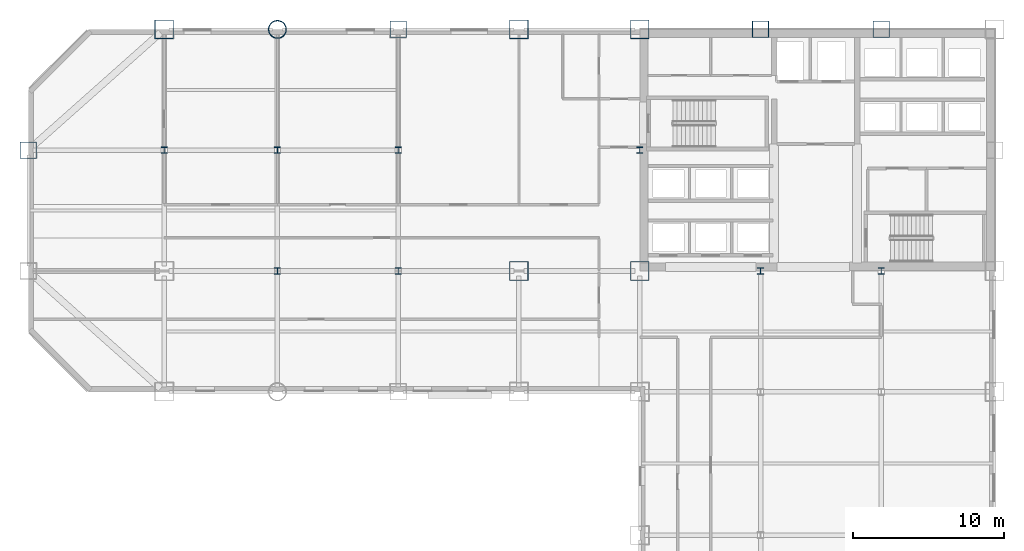
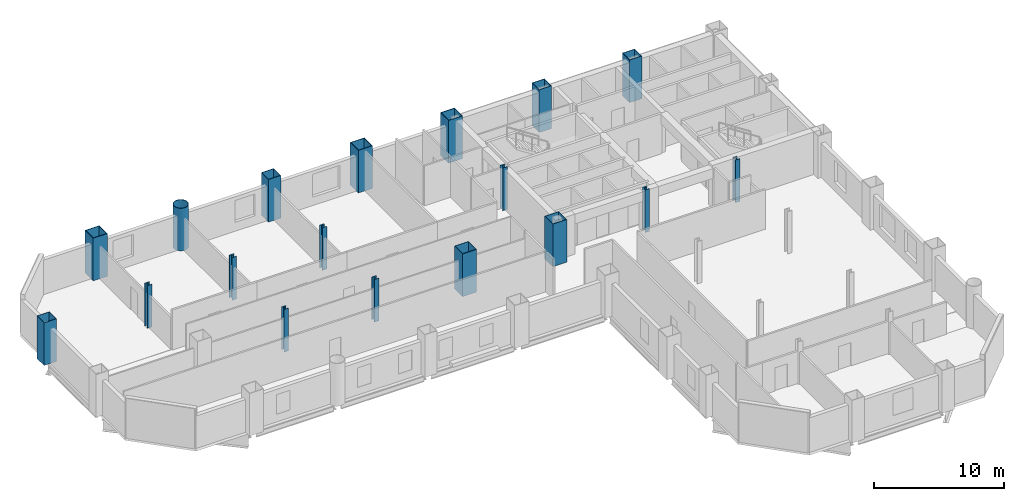
# One storey, part 2 of 9: 18 columns.
"""IFC4 building model written with IfcOpenShell, lengths in metres."""

from ifc_helpers import new_model, si_unit, direction, frame, origin, origin_2d, place, context, subcontext, project, spatial, hollow_rectangle, hollow_circle, i_section, extrude, material, material_profile, profile_set, type_object, element, save


model = new_model("IFC4")

# Units and contexts
model_context = context("Model", 3, precision=1e-05, world=origin(), true_north=direction((0.0, 1.0)))
body_context = subcontext(model_context, "Body", "Model", "MODEL_VIEW")
ifc_project = project(units=[si_unit("LENGTHUNIT", "METRE"), si_unit("AREAUNIT", "SQUARE_METRE"), si_unit("VOLUMEUNIT", "CUBIC_METRE"), si_unit("PLANEANGLEUNIT", "RADIAN"), si_unit("MASSUNIT", "GRAM", prefix="KILO")], contexts=[model_context])

# Site, building, storey
site_placement = place(None, origin())
site = spatial("IfcSite", under=ifc_project, at=site_placement, CompositionType="ELEMENT")
building_placement = place(site_placement, origin())
building = spatial("IfcBuilding", under=site, at=building_placement, Name="Qianrong Seaharbour Tower", CompositionType="ELEMENT")
storey_placement = place(building_placement, frame((0.0, 0.0, 52.199951171875)))
storey = spatial("IfcBuildingStorey", under=building, at=storey_placement, Name="L12", CompositionType="ELEMENT", Elevation=52.199951171875)

# Columns
ifc_material = material(Name="Structural steel SN490B", Category="steel")
ifc_material_profile_1 = material_profile(ifc_material, hollow_rectangle(XDim=1.25, YDim=1.25, WallThickness=0.044921875, at=origin_2d()), Name="BOX1250x1250x45")
ifc_profile_set_1 = profile_set([ifc_material_profile_1], Name="Structural steel SN490B")
column_type_1 = type_object("IfcColumnType", Name="COL-CFT-1250", PredefinedType="COLUMN", material=ifc_profile_set_1)
for number, where, z_axis, x_axis, name in (
    (1, (9.0, 52.0, 0.0), (0.0, 0.0, 1.0), (1.0, 0.0, 0.0), "L12 Column MC-2 at G2/GH"),
    (2, (32.5, 36.0, 0.0), (0.0, 0.0, 1.0), (1.0, 0.0, 0.0), "L12 Column MC-2 at G5/GF"),
    (3, (32.5, 52.0, 0.0), (0.0, 0.0, 1.0), (1.0, 0.0, 0.0), "L12 Column MC-2 at G5/GH"),
    (4, (40.5, 36.0, 0.0), (0.0, 0.0, 1.0), (1.0, 0.0, 0.0), "L12 Column MC-2 at G6/GF"),
    (5, (40.5, 52.0, 0.0), (0.0, 0.0, 1.0), (1.0, 0.0, 0.0), "L12 Column MC-2 at G6/GH"),
):
    element("IfcColumn", number, at=place(storey_placement, frame(where, z_axis=z_axis, x_axis=x_axis)), inside=storey, type_object=column_type_1, Name=name, PredefinedType="COLUMN", context=body_context, shape_type="SweptSolid", body=[
        extrude(hollow_rectangle(XDim=1.25, YDim=1.25, WallThickness=0.044921875, at=origin_2d()), origin(), (0.0, 0.0, 1.0), 4.0),
    ])
ifc_material_profile_2 = material_profile(ifc_material, hollow_circle(Radius=0.60009765625, WallThickness=0.0400390625, at=origin_2d()), Name="CHS1200x40")
ifc_profile_set_2 = profile_set([ifc_material_profile_2], Name="Structural steel SN490B")
column_type_2 = type_object("IfcColumnType", Name="COL-CHS-1200", PredefinedType="COLUMN", material=ifc_profile_set_2)
column_placement = place(storey_placement, frame((16.5, 52.0, 0.0), z_axis=(0.0, 0.0, 1.0), x_axis=(1.0, 0.0, 0.0)))
element("IfcColumn", 6, at=column_placement, inside=storey, type_object=column_type_2, Name="L12 Column CC-1 at G3/GH", PredefinedType="COLUMN", context=body_context, shape_type="SweptSolid", body=[
    extrude(hollow_circle(Radius=0.60009765625, WallThickness=0.0400390625, at=origin_2d()), origin(), (0.0, 0.0, 1.0), 4.0),
])
ifc_material_profile_3 = material_profile(ifc_material, i_section(OverallWidth=0.406982421875, OverallDepth=0.427978515625, WebThickness=0.02001953125, FlangeThickness=0.034912109375, FilletRadius=0.02197265625, at=origin_2d()), Name="H428x407x20x35")
ifc_profile_set_3 = profile_set([ifc_material_profile_3], Name="Structural steel SN490B")
column_type_3 = type_object("IfcColumnType", Name="COL-INT-H428", PredefinedType="COLUMN", material=ifc_profile_set_3)
for number, where, z_axis, x_axis, name in (
    (7, (9.0, 44.0, 0.0), (0.0, 0.0, 1.0), (1.0, 0.0, 0.0), "L12 Column IC-2 at G2/GG"),
    (8, (16.5, 36.0, 0.0), (0.0, 0.0, 1.0), (1.0, 0.0, 0.0), "L12 Column IC-2 at G3/GF"),
    (9, (16.5, 44.0, 0.0), (0.0, 0.0, 1.0), (1.0, 0.0, 0.0), "L12 Column IC-2 at G3/GG"),
    (10, (24.5, 36.0, 0.0), (0.0, 0.0, 1.0), (1.0, 0.0, 0.0), "L12 Column IC-2 at G4/GF"),
    (11, (24.5, 44.0, 0.0), (0.0, 0.0, 1.0), (1.0, 0.0, 0.0), "L12 Column IC-2 at G4/GG"),
    (12, (40.5, 44.0, 0.0), (0.0, 0.0, 1.0), (1.0, 0.0, 0.0), "L12 Column IC-2 at G6/GG"),
    (13, (48.5, 36.0, 0.0), (0.0, 0.0, 1.0), (1.0, 0.0, 0.0), "L12 Column IC-2 at G7/GF"),
    (14, (56.5, 36.0, 0.0), (0.0, 0.0, 1.0), (1.0, 0.0, 0.0), "L12 Column IC-2 at G8/GF"),
):
    element("IfcColumn", number, at=place(storey_placement, frame(where, z_axis=z_axis, x_axis=x_axis)), inside=storey, type_object=column_type_3, Name=name, PredefinedType="COLUMN", context=body_context, shape_type="SweptSolid", body=[
        extrude(i_section(OverallWidth=0.406982421875, OverallDepth=0.427978515625, WebThickness=0.02001953125, FlangeThickness=0.034912109375, FilletRadius=0.02197265625, at=origin_2d()), origin(), (0.0, 0.0, 1.0), 4.0),
    ])
ifc_material_profile_4 = material_profile(ifc_material, hollow_rectangle(XDim=1.10009765625, YDim=1.10009765625, WallThickness=0.0400390625, at=origin_2d()), Name="BOX1100x1100x40")
ifc_profile_set_4 = profile_set([ifc_material_profile_4], Name="Structural steel SN490B")
column_type_4 = type_object("IfcColumnType", Name="COL-PER-1100", PredefinedType="COLUMN", material=ifc_profile_set_4)
for number, where, z_axis, x_axis, name in (
    (15, (0.0, 44.0, 0.0), (0.0, 0.0, 1.0), (1.0, 0.0, 0.0), "L12 Column PC-1 at G1/GG"),
    (16, (24.5, 52.0, 0.0), (0.0, 0.0, 1.0), (1.0, 0.0, 0.0), "L12 Column PC-1 at G4/GH"),
    (17, (48.5, 52.0, 0.0), (0.0, 0.0, 1.0), (1.0, 0.0, 0.0), "L12 Column PC-1 at G7/GH"),
    (18, (56.5, 52.0, 0.0), (0.0, 0.0, 1.0), (1.0, 0.0, 0.0), "L12 Column PC-1 at G8/GH"),
):
    element("IfcColumn", number, at=place(storey_placement, frame(where, z_axis=z_axis, x_axis=x_axis)), inside=storey, type_object=column_type_4, Name=name, PredefinedType="COLUMN", context=body_context, shape_type="SweptSolid", body=[
        extrude(hollow_rectangle(XDim=1.10009765625, YDim=1.10009765625, WallThickness=0.0400390625, at=origin_2d()), origin(), (0.0, 0.0, 1.0), 4.0),
    ])

save(model, "model.ifc")
